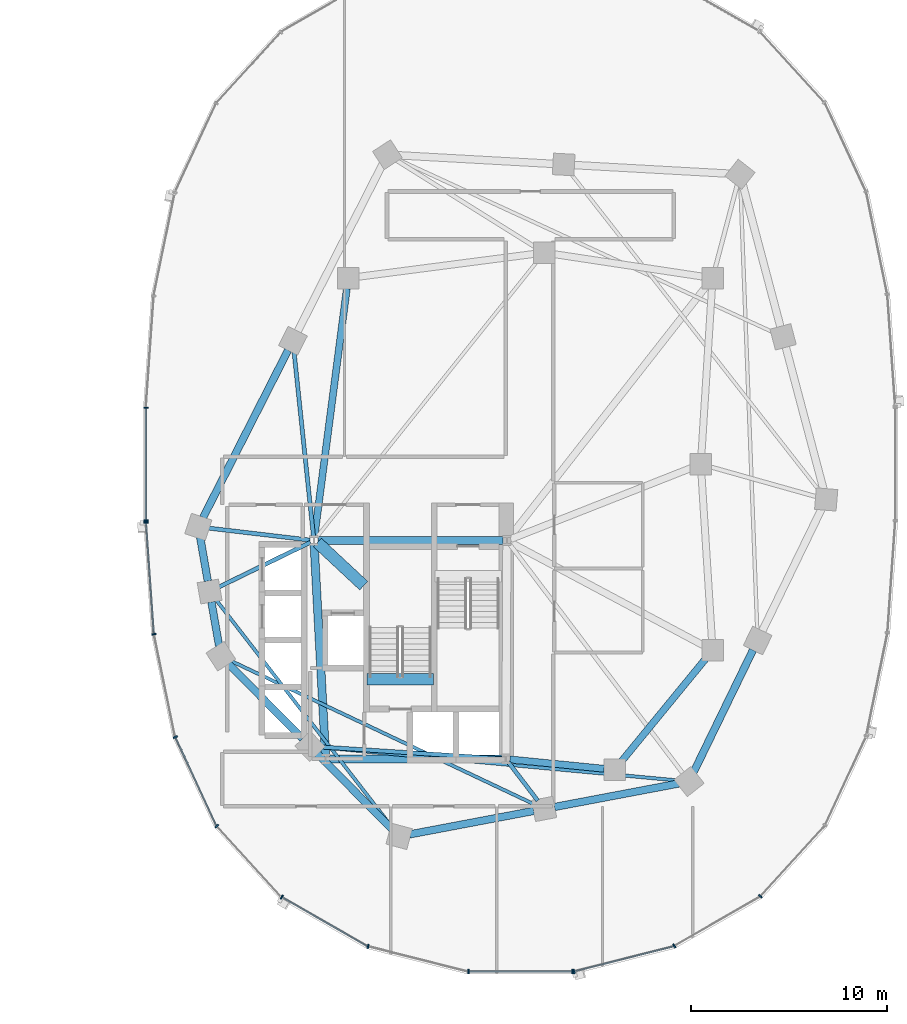
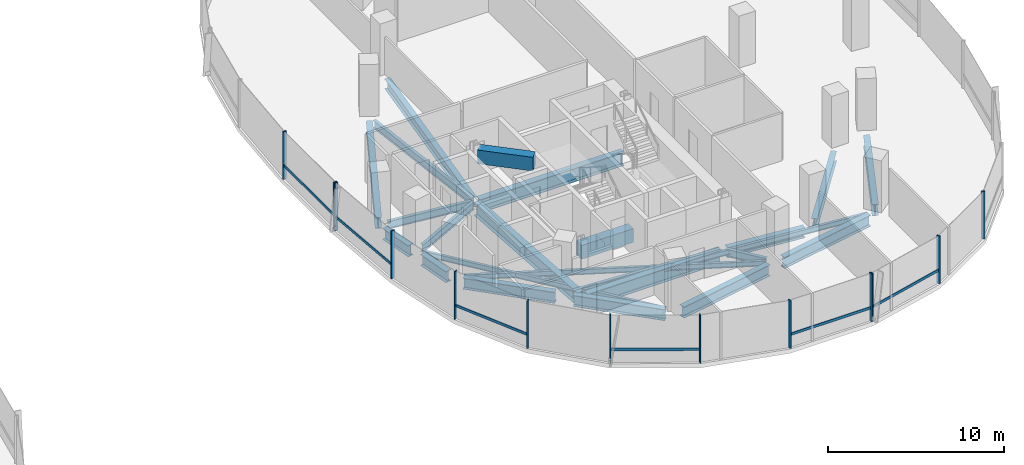
# One storey, part 5 of 20: 24 beams, 19 members, 3 elements without a shape of their own.
"""IFC4 building model written with IfcOpenShell, lengths in metres."""

from ifc_helpers import new_model, si_unit, direction, frame, origin, origin_2d, place, context, subcontext, project, spatial, rectangle, i_section, extrude, material, material_profile, profile_set, type_object, element, aggregate, save


model = new_model("IFC4")

# Units and contexts
model_context = context("Model", 3, precision=1e-05, world=origin(), true_north=direction((0.0, 1.0)))
body_context = subcontext(model_context, "Body", "Model", "MODEL_VIEW")
ifc_project = project(units=[si_unit("LENGTHUNIT", "METRE"), si_unit("AREAUNIT", "SQUARE_METRE"), si_unit("VOLUMEUNIT", "CUBIC_METRE"), si_unit("PLANEANGLEUNIT", "RADIAN"), si_unit("MASSUNIT", "GRAM", prefix="KILO"), si_unit("THERMODYNAMICTEMPERATUREUNIT", "KELVIN"), si_unit("POWERUNIT", "WATT")], contexts=[model_context])

# Site, building, storey
site_placement = place(None, origin())
site = spatial("IfcSite", under=ifc_project, at=site_placement, CompositionType="ELEMENT")
building_placement = place(site_placement, origin())
building = spatial("IfcBuilding", under=site, at=building_placement, Name="Cundina Bronze Exchange", CompositionType="ELEMENT")
storey_placement = place(building_placement, frame((0.0, 0.0, 125.0)))
storey = spatial("IfcBuildingStorey", under=building, at=storey_placement, Name="L32", CompositionType="ELEMENT", Elevation=125.0)

# Beams
ifc_material_1 = material(Name="Concrete C60/75", Category="concrete")
ifc_material_profile_1 = material_profile(ifc_material_1, rectangle(XDim=0.60009765625, YDim=0.949951171875, at=origin_2d()), Name="RC600X950", Category="concrete")
ifc_profile_set_1 = profile_set([ifc_material_profile_1], Name="Concrete C60/75")
beam_type_1 = type_object("IfcBeamType", Name="BM-COUP-RC950", PredefinedType="LINTEL", material=ifc_profile_set_1)
beam_1_placement = place(storey_placement, frame((24.159912109375, -10.97998046875, -0.47509765625), z_axis=(1.0, 0.0, 0.0), x_axis=(0.0, 1.0, 0.0)))
element("IfcBeam", 1, at=beam_1_placement, inside=storey, type_object=beam_type_1, Name="L32 Stair E2 Landing Header Beam", PredefinedType="LINTEL", context=body_context, shape_type="SweptSolid", body=[
    extrude(rectangle(XDim=0.60009765625, YDim=0.949951171875, at=origin_2d()), origin(), (0.0, 0.0, 1.0), 3.400146484375),
])
beam_2_placement = place(storey_placement, frame((21.6298828125, -4.0, 2.824951171875), z_axis=(0.731490439815, -0.681851696822, 0.0), x_axis=(0.681851696822, 0.731490439815, 0.0)))
element("IfcBeam", 2, at=beam_2_placement, inside=storey, type_object=beam_type_1, Name="L32 E Core Shear Coupling Lintel Beam", PredefinedType="LINTEL", context=body_context, shape_type="SweptSolid", body=[
    extrude(rectangle(XDim=0.60009765625, YDim=0.949951171875, at=origin_2d()), origin(), (0.0, 0.0, 1.0), 3.226318359375),
])
ifc_material_2 = material(Name="Steel ASTM A992 Grade 50", Category="steel")
ifc_material_profile_2 = material_profile(ifc_material_2, i_section(OverallWidth=0.2099609375, OverallDepth=0.532958984375, WebThickness=0.01025390625, FlangeThickness=0.015625, FilletRadius=0.013916015625, at=origin_2d()), Name="W21X62", Category="steel")
ifc_profile_set_2 = profile_set([ifc_material_profile_2], Name="Steel ASTM A992 Grade 50")
beam_type_2 = type_object("IfcBeamType", Name="BM-FLR-W21B", PredefinedType="BEAM", material=ifc_profile_set_2)
beam_3_placement = place(storey_placement, frame((21.247314453125, -3.8759765625, -0.56640625), z_axis=(-0.993035701683, 0.117813815752, 0.0), x_axis=(-0.117813815752, -0.993035701683, 0.0)))
element("IfcBeam", 3, at=beam_3_placement, inside=storey, type_object=beam_type_2, Name="L32 Leg E Chordal Floor Beam 00", PredefinedType="BEAM", context=body_context, shape_type="SweptSolid", body=[
    extrude(i_section(OverallWidth=0.2099609375, OverallDepth=0.532958984375, WebThickness=0.01025390625, FlangeThickness=0.015625, FilletRadius=0.013916015625, at=origin_2d()), origin(), (0.0, 0.0, 1.0), 5.19921875),
])
beam_4_placement = place(storey_placement, frame((21.2666015625, -3.989501953125, -0.56640625), z_axis=(-0.898607246385, -0.438753936443, 0.0), x_axis=(0.438753936443, -0.898607246385, 0.0)))
element("IfcBeam", 4, at=beam_4_placement, inside=storey, type_object=beam_type_2, Name="L32 Leg E Chordal Floor Beam 01", PredefinedType="BEAM", context=body_context, shape_type="SweptSolid", body=[
    extrude(i_section(OverallWidth=0.2099609375, OverallDepth=0.532958984375, WebThickness=0.01025390625, FlangeThickness=0.015625, FilletRadius=0.013916015625, at=origin_2d()), origin(), (0.0, 0.0, 1.0), 5.183837890625),
])
beam_5_placement = place(storey_placement, frame((31.04638671875, -15.036865234375, -0.56640625), z_axis=(-0.997892901568, 0.064882640211, 0.0), x_axis=(-0.064882640211, -0.997892901568, 0.0)))
element("IfcBeam", 5, at=beam_5_placement, inside=storey, type_object=beam_type_2, Name="L32 Leg E Chordal Floor Beam 03", PredefinedType="BEAM", context=body_context, shape_type="SweptSolid", body=[
    extrude(i_section(OverallWidth=0.2099609375, OverallDepth=0.532958984375, WebThickness=0.01025390625, FlangeThickness=0.015625, FilletRadius=0.013916015625, at=origin_2d()), origin(), (0.0, 0.0, 1.0), 9.279052734375),
])
beam_6_placement = place(storey_placement, frame((31.373779296875, -15.2119140625, -0.56640625), z_axis=(0.607490490457, -0.79432695032, 0.0), x_axis=(0.79432695032, 0.607490490457, 0.0)))
element("IfcBeam", 6, at=beam_6_placement, inside=storey, type_object=beam_type_2, Name="L32 Leg E Chordal Floor Beam 05", PredefinedType="BEAM", context=body_context, shape_type="SweptSolid", body=[
    extrude(i_section(OverallWidth=0.2099609375, OverallDepth=0.532958984375, WebThickness=0.01025390625, FlangeThickness=0.015625, FilletRadius=0.013916015625, at=origin_2d()), origin(), (0.0, 0.0, 1.0), 2.46826171875),
])
beam_7_placement = place(storey_placement, frame((21.4287109375, -3.697021484375, -0.56640625), z_axis=(-0.104822364957, 0.994490961148, 0.0), x_axis=(-0.994490961148, -0.104822364957, 0.0)))
element("IfcBeam", 7, at=beam_7_placement, inside=storey, type_object=beam_type_2, Name="L32 Leg E Chordal Floor Beam 13", PredefinedType="BEAM", context=body_context, shape_type="SweptSolid", body=[
    extrude(i_section(OverallWidth=0.2099609375, OverallDepth=0.532958984375, WebThickness=0.01025390625, FlangeThickness=0.015625, FilletRadius=0.013916015625, at=origin_2d()), origin(), (0.0, 0.0, 1.0), 9.514404296875),
])
ifc_material_profile_3 = material_profile(ifc_material_2, i_section(OverallWidth=0.172119140625, OverallDepth=0.35791015625, WebThickness=0.0078125, FlangeThickness=0.01318359375, FilletRadius=0.010009765625, at=origin_2d()), Name="W14X38", Category="steel")
ifc_profile_set_3 = profile_set([ifc_material_profile_3], Name="Steel ASTM A992 Grade 50")
beam_type_3 = type_object("IfcBeamType", Name="BM-JST-W14", PredefinedType="JOIST", material=ifc_profile_set_3)
beam_8_placement = place(storey_placement, frame((16.454345703125, -6.92529296875, -0.47900390625), z_axis=(0.612065218806, -0.790807288742, 0.0), x_axis=(0.790807288742, 0.612065218806, 0.0)))
element("IfcBeam", 8, at=beam_8_placement, inside=storey, type_object=beam_type_3, Name="L32 Leg E Lobe Floor Joist 01-04", PredefinedType="JOIST", context=body_context, shape_type="SweptSolid", body=[
    extrude(i_section(OverallWidth=0.172119140625, OverallDepth=0.35791015625, WebThickness=0.0078125, FlangeThickness=0.01318359375, FilletRadius=0.010009765625, at=origin_2d()), origin(), (0.0, 0.0, 1.0), 14.73095703125),
])
beam_9_placement = place(storey_placement, frame((17.186279296875, -10.02978515625, -0.47900390625), z_axis=(0.904069270633, -0.427385954259, 0.0), x_axis=(0.427385954259, 0.904069270633, 0.0)))
element("IfcBeam", 9, at=beam_9_placement, inside=storey, type_object=beam_type_3, Name="L32 Leg E Lobe Floor Joist 02-05", PredefinedType="JOIST", context=body_context, shape_type="SweptSolid", body=[
    extrude(i_section(OverallWidth=0.172119140625, OverallDepth=0.35791015625, WebThickness=0.0078125, FlangeThickness=0.01318359375, FilletRadius=0.010009765625, at=origin_2d()), origin(), (0.0, 0.0, 1.0), 17.175048828125),
])
beam_10_placement = place(storey_placement, frame((21.78564453125, -14.44970703125, -0.47900390625), z_axis=(0.995700674022, -0.092629194921, 0.0), x_axis=(0.092629194921, 0.995700674022, 0.0)))
element("IfcBeam", 10, at=beam_10_placement, inside=storey, type_object=beam_type_3, Name="L32 Leg E Lobe Floor Joist 03-06", PredefinedType="JOIST", context=body_context, shape_type="SweptSolid", body=[
    extrude(i_section(OverallWidth=0.172119140625, OverallDepth=0.35791015625, WebThickness=0.0078125, FlangeThickness=0.01318359375, FilletRadius=0.010009765625, at=origin_2d()), origin(), (0.0, 0.0, 1.0), 18.357421875),
])
ifc_material_profile_4 = material_profile(ifc_material_2, i_section(OverallWidth=0.35498046875, OverallDepth=0.695068359375, WebThickness=0.015380859375, FlangeThickness=0.02490234375, FilletRadius=0.01806640625, at=origin_2d()), Name="W27X146", Category="steel")
ifc_profile_set_4 = profile_set([ifc_material_profile_4], Name="Steel ASTM A992 Grade 50")
beam_type_4 = type_object("IfcBeamType", Name="BM-RING-W27", PredefinedType="USERDEFINED", material=ifc_profile_set_4)
beam_11_placement = place(storey_placement, frame((31.452880859375, -15.070068359375, -0.6474609375), z_axis=(0.995126271817, -0.098608839051, 0.0), x_axis=(0.098608839051, 0.995126271817, 0.0)))
element("IfcBeam", 11, at=beam_11_placement, inside=storey, type_object=beam_type_4, Name="L32 E Inner Structural Ring Girder 01", ObjectType="GIRDER", PredefinedType="USERDEFINED", context=body_context, shape_type="SweptSolid", body=[
    extrude(i_section(OverallWidth=0.35498046875, OverallDepth=0.695068359375, WebThickness=0.015380859375, FlangeThickness=0.02490234375, FilletRadius=0.01806640625, at=origin_2d()), origin(), (0.0, 0.0, 1.0), 4.83544921875),
])
beam_12_placement = place(storey_placement, frame((37.14111328125, -15.183837890625, -0.6474609375), z_axis=(0.633926549035, 0.773393257295, 0.0), x_axis=(-0.773393257295, 0.633926549035, 0.0)))
element("IfcBeam", 12, at=beam_12_placement, inside=storey, type_object=beam_type_4, Name="L32 E Inner Structural Ring Girder 02", ObjectType="GIRDER", PredefinedType="USERDEFINED", context=body_context, shape_type="SweptSolid", body=[
    extrude(i_section(OverallWidth=0.35498046875, OverallDepth=0.695068359375, WebThickness=0.015380859375, FlangeThickness=0.02490234375, FilletRadius=0.01806640625, at=origin_2d()), origin(), (0.0, 0.0, 1.0), 6.811279296875),
])
beam_13_placement = place(storey_placement, frame((23.13037109375, 8.966552734375, -0.6474609375), z_axis=(-0.129507526533, -0.99157843894, 0.0), x_axis=(0.99157843894, -0.129507526533, 0.0)))
element("IfcBeam", 13, at=beam_13_placement, inside=storey, type_object=beam_type_4, Name="L32 E Inner Structural Ring Girder 07", ObjectType="GIRDER", PredefinedType="USERDEFINED", context=body_context, shape_type="SweptSolid", body=[
    extrude(i_section(OverallWidth=0.35498046875, OverallDepth=0.695068359375, WebThickness=0.015380859375, FlangeThickness=0.02490234375, FilletRadius=0.01806640625, at=origin_2d()), origin(), (0.0, 0.0, 1.0), 12.77197265625),
])
ifc_material_profile_5 = material_profile(ifc_material_2, i_section(OverallWidth=0.381103515625, OverallDepth=0.77294921875, WebThickness=0.0166015625, FlangeThickness=0.027099609375, FilletRadius=0.01904296875, at=origin_2d()), Name="W30X173", Category="steel")
ifc_profile_set_5 = profile_set([ifc_material_profile_5], Name="Steel ASTM A992 Grade 50")
beam_type_5 = type_object("IfcBeamType", Name="BM-RING-W30", PredefinedType="USERDEFINED", material=ifc_profile_set_5)
for number, where, z_axis, x_axis, name in (
    (14, (15.642333984375, -3.72998046875, -0.6865234375), (0.171690078326, -0.985151012284, 0.0), (0.985151012284, 0.171690078326, 0.0), "L32 E Perimeter Ring Girder 00"),
    (15, (16.21728515625, -7.030029296875, -0.6865234375), (0.171690078326, -0.985151012284, 0.0), (0.985151012284, 0.171690078326, 0.0), "L32 E Perimeter Ring Girder 01"),
):
    element("IfcBeam", number, at=place(storey_placement, frame(where, z_axis=z_axis, x_axis=x_axis)), inside=storey, type_object=beam_type_5, Name=name, ObjectType="GIRDER", PredefinedType="USERDEFINED", context=body_context, shape_type="SweptSolid", body=[
        extrude(i_section(OverallWidth=0.381103515625, OverallDepth=0.77294921875, WebThickness=0.0166015625, FlangeThickness=0.027099609375, FilletRadius=0.01904296875, at=origin_2d()), origin(), (0.0, 0.0, 1.0), 2.273681640625),
    ])
for number, where, z_axis, x_axis, name in (
    (16, (17.078369140625, -10.1826171875, -0.6865234375), (0.703226342126, -0.7109660412, 0.0), (0.7109660412, 0.703226342126, 0.0), "L32 E Perimeter Ring Girder 02"),
    (17, (21.62841796875, -14.782470703125, -0.6865234375), (0.703226342126, -0.7109660412, 0.0), (0.7109660412, 0.703226342126, 0.0), "L32 E Perimeter Ring Girder 03"),
):
    element("IfcBeam", number, at=place(storey_placement, frame(where, z_axis=z_axis, x_axis=x_axis)), inside=storey, type_object=beam_type_5, Name=name, ObjectType="GIRDER", PredefinedType="USERDEFINED", context=body_context, shape_type="SweptSolid", body=[
        extrude(i_section(OverallWidth=0.381103515625, OverallDepth=0.77294921875, WebThickness=0.0166015625, FlangeThickness=0.027099609375, FilletRadius=0.01904296875, at=origin_2d()), origin(), (0.0, 0.0, 1.0), 5.39404296875),
    ])
for number, where, z_axis, x_axis, name in (
    (18, (26.32861328125, -18.89990234375, -0.6865234375), (0.98257117919, 0.185886733861, 0.0), (-0.185886733861, 0.98257117919, 0.0), "L32 E Perimeter Ring Girder 04"),
    (19, (33.728515625, -17.5, -0.6865234375), (0.98257117919, 0.185886733861, 0.0), (-0.185886733861, 0.98257117919, 0.0), "L32 E Perimeter Ring Girder 05"),
):
    element("IfcBeam", number, at=place(storey_placement, frame(where, z_axis=z_axis, x_axis=x_axis)), inside=storey, type_object=beam_type_5, Name=name, ObjectType="GIRDER", PredefinedType="USERDEFINED", context=body_context, shape_type="SweptSolid", body=[
        extrude(i_section(OverallWidth=0.381103515625, OverallDepth=0.77294921875, WebThickness=0.0166015625, FlangeThickness=0.027099609375, FilletRadius=0.01904296875, at=origin_2d()), origin(), (0.0, 0.0, 1.0), 6.455322265625),
    ])
beam_14_placement = place(storey_placement, frame((40.835205078125, -15.716064453125, -0.6865234375), z_axis=(0.437193894283, 0.899367276924, 0.0), x_axis=(-0.899367276924, 0.437193894283, 0.0)))
element("IfcBeam", 20, at=beam_14_placement, inside=storey, type_object=beam_type_5, Name="L32 E Perimeter Ring Girder 06", ObjectType="GIRDER", PredefinedType="USERDEFINED", context=body_context, shape_type="SweptSolid", body=[
    extrude(i_section(OverallWidth=0.381103515625, OverallDepth=0.77294921875, WebThickness=0.0166015625, FlangeThickness=0.027099609375, FilletRadius=0.01904296875, at=origin_2d()), origin(), (0.0, 0.0, 1.0), 6.929443359375),
])
beam_15_placement = place(storey_placement, frame((20.13134765625, 5.8203125, -0.6865234375), z_axis=(-0.452832332744, -0.891595692241, 0.0), x_axis=(0.891595692241, -0.452832332744, 0.0)))
element("IfcBeam", 21, at=beam_15_placement, inside=storey, type_object=beam_type_5, Name="L32 E Perimeter Ring Girder 13", ObjectType="GIRDER", PredefinedType="USERDEFINED", context=body_context, shape_type="SweptSolid", body=[
    extrude(i_section(OverallWidth=0.381103515625, OverallDepth=0.77294921875, WebThickness=0.0166015625, FlangeThickness=0.027099609375, FilletRadius=0.01904296875, at=origin_2d()), origin(), (0.0, 0.0, 1.0), 9.578857421875),
])
ifc_material_profile_6 = material_profile(ifc_material_2, i_section(OverallWidth=0.41796875, OverallDepth=0.927001953125, WebThickness=0.019287109375, FlangeThickness=0.031982421875, FilletRadius=0.02392578125, at=origin_2d()), Name="W36X231", Category="steel")
ifc_profile_set_6 = profile_set([ifc_material_profile_6], Name="Steel ASTM A992 Grade 50")
beam_type_6 = type_object("IfcBeamType", Name="BM-WRN-W36B", PredefinedType="USERDEFINED", material=ifc_profile_set_6)
beam_16_placement = place(storey_placement, frame((31.095947265625, -3.89990234375, -0.763427734375), z_axis=(-1.0, 0.0, 0.0), x_axis=(0.0, -1.0, 0.0)))
element("IfcBeam", 22, at=beam_16_placement, inside=storey, type_object=beam_type_6, Name="L32 E Core Perimeter Tie Girder 1", ObjectType="GIRDER", PredefinedType="USERDEFINED", context=body_context, shape_type="SweptSolid", body=[
    extrude(i_section(OverallWidth=0.41796875, OverallDepth=0.927001953125, WebThickness=0.019287109375, FlangeThickness=0.031982421875, FilletRadius=0.02392578125, at=origin_2d()), origin(), (0.0, 0.0, 1.0), 9.44189453125),
])
beam_17_placement = place(storey_placement, frame((21.4609375, -4.103759765625, -0.763427734375), z_axis=(0.053739193498, -0.998555005537, 0.0), x_axis=(0.998555005537, 0.053739193498, 0.0)))
element("IfcBeam", 23, at=beam_17_placement, inside=storey, type_object=beam_type_6, Name="L32 E Core Perimeter Tie Girder 2", ObjectType="GIRDER", PredefinedType="USERDEFINED", context=body_context, shape_type="SweptSolid", body=[
    extrude(i_section(OverallWidth=0.41796875, OverallDepth=0.927001953125, WebThickness=0.019287109375, FlangeThickness=0.031982421875, FilletRadius=0.02392578125, at=origin_2d()), origin(), (0.0, 0.0, 1.0), 10.758056640625),
])
beam_18_placement = place(storey_placement, frame((22.25390625, -15.050048828125, -0.763427734375), z_axis=(1.0, 0.0, 0.0), x_axis=(0.0, 1.0, 0.0)))
element("IfcBeam", 24, at=beam_18_placement, inside=storey, type_object=beam_type_6, Name="L32 E Core Perimeter Tie Girder 3", ObjectType="GIRDER", PredefinedType="USERDEFINED", context=body_context, shape_type="SweptSolid", body=[
    extrude(i_section(OverallWidth=0.41796875, OverallDepth=0.927001953125, WebThickness=0.019287109375, FlangeThickness=0.031982421875, FilletRadius=0.02392578125, at=origin_2d()), origin(), (0.0, 0.0, 1.0), 8.7919921875),
])

# Curtain wall, members
ifc_material_3 = material(Name="Anodised Bronze Aluminium 6063-T6", Category="aluminium")
curtain_wall_type = type_object("IfcCurtainWallType", Name="CWS-TRD-MID", PredefinedType="NOTDEFINED", material=ifc_material_3)
curtain_wall_1_placement = place(storey_placement, origin())
curtain_wall_1 = element("IfcCurtainWall", 25, at=curtain_wall_1_placement, inside=storey, type_object=curtain_wall_type, Name="L32 CW-03 Curtain Wall Run CWR-L32-E2", PredefinedType="NOTDEFINED")
ifc_material_profile_7 = material_profile(ifc_material_3, rectangle(XDim=0.074951171875, YDim=0.219970703125, at=origin_2d()), Name="AL75X220", Category="aluminium")
ifc_profile_set_7 = profile_set([ifc_material_profile_7], Name="Anodised Bronze Aluminium 6063-T6")
member_type_1 = type_object("IfcMemberType", Name="CWM-MUL-220", PredefinedType="MULLION", material=ifc_profile_set_7)
member_1_placement = place(storey_placement, frame((12.8720703125, 2.880615234375, 0.0), z_axis=(0.0, 0.0, 1.0), x_axis=(0.0, -1.0, 0.0)))
member_1 = element("IfcMember", 26, at=member_1_placement, type_object=member_type_1, Name="CW-03 Mullion 7", PredefinedType="MULLION", context=body_context, shape_type="SweptSolid", body=[
    extrude(rectangle(XDim=0.074951171875, YDim=0.219970703125, at=origin_2d()), origin(), (0.0, 0.0, 1.0), 3.300048828125),
])
member_2_placement = place(storey_placement, frame((12.8720703125, -2.880615234375, 0.0), z_axis=(0.0, 0.0, 1.0), x_axis=(0.0, -1.0, 0.0)))
member_2 = element("IfcMember", 27, at=member_2_placement, type_object=member_type_1, Name="CW-03 End Mullion", PredefinedType="MULLION", context=body_context, shape_type="SweptSolid", body=[
    extrude(rectangle(XDim=0.074951171875, YDim=0.219970703125, at=origin_2d()), origin(), (0.0, 0.0, 1.0), 3.300048828125),
])

curtain_wall_2_placement = place(storey_placement, origin())
curtain_wall_2 = element("IfcCurtainWall", 28, at=curtain_wall_2_placement, inside=storey, type_object=curtain_wall_type, Name="L32 CW-03 Curtain Wall Run CWR-L32-E3", PredefinedType="NOTDEFINED")
member_3_placement = place(storey_placement, frame((12.87548828125, -2.976318359375, 0.0), z_axis=(0.0, 0.0, 1.0), x_axis=(0.070278787473, -0.997527389113, 0.0)))
member_3 = element("IfcMember", 29, at=member_3_placement, type_object=member_type_1, Name="CW-03 Mullion 1", PredefinedType="MULLION", context=body_context, shape_type="SweptSolid", body=[
    extrude(rectangle(XDim=0.074951171875, YDim=0.219970703125, at=origin_2d()), origin(), (0.0, 0.0, 1.0), 3.300048828125),
])
member_4_placement = place(storey_placement, frame((13.282958984375, -8.67822265625, 0.0), z_axis=(0.0, 0.0, 1.0), x_axis=(0.201419845156, -0.979505000486, 0.0)))
member_4 = element("IfcMember", 30, at=member_4_placement, type_object=member_type_1, Name="CW-03 Mullion 2", PredefinedType="MULLION", context=body_context, shape_type="SweptSolid", body=[
    extrude(rectangle(XDim=0.074951171875, YDim=0.219970703125, at=origin_2d()), origin(), (0.0, 0.0, 1.0), 3.300048828125),
])
member_5_placement = place(storey_placement, frame((14.3720703125, -13.931884765625, 0.0), z_axis=(0.0, 0.0, 1.0), x_axis=(0.42087749791, -0.907117485088, 0.0)))
member_5 = element("IfcMember", 31, at=member_5_placement, type_object=member_type_1, Name="CW-03 Mullion 3", PredefinedType="MULLION", context=body_context, shape_type="SweptSolid", body=[
    extrude(rectangle(XDim=0.074951171875, YDim=0.219970703125, at=origin_2d()), origin(), (0.0, 0.0, 1.0), 3.300048828125),
])
member_6_placement = place(storey_placement, frame((16.491455078125, -18.47705078125, 0.0), z_axis=(0.0, 0.0, 1.0), x_axis=(0.674302387584, -0.738455340626, 0.0)))
member_6 = element("IfcMember", 32, at=member_6_placement, type_object=member_type_1, Name="CW-03 Mullion 4", PredefinedType="MULLION", context=body_context, shape_type="SweptSolid", body=[
    extrude(rectangle(XDim=0.074951171875, YDim=0.219970703125, at=origin_2d()), origin(), (0.0, 0.0, 1.0), 3.300048828125),
])
member_7_placement = place(storey_placement, frame((19.810302734375, -22.097412109375, 0.0), z_axis=(0.0, 0.0, 1.0), x_axis=(0.867070701164, -0.498185105339, 0.0)))
member_7 = element("IfcMember", 33, at=member_7_placement, type_object=member_type_1, Name="CW-03 Mullion 5", PredefinedType="MULLION", context=body_context, shape_type="SweptSolid", body=[
    extrude(rectangle(XDim=0.074951171875, YDim=0.219970703125, at=origin_2d()), origin(), (0.0, 0.0, 1.0), 3.300048828125),
])
member_8_placement = place(storey_placement, frame((24.21484375, -24.61669921875, 0.0), z_axis=(0.0, 0.0, 1.0), x_axis=(0.969488149345, -0.245138182011, 0.0)))
member_8 = element("IfcMember", 34, at=member_8_placement, type_object=member_type_1, Name="CW-03 Mullion 6", PredefinedType="MULLION", context=body_context, shape_type="SweptSolid", body=[
    extrude(rectangle(XDim=0.074951171875, YDim=0.219970703125, at=origin_2d()), origin(), (0.0, 0.0, 1.0), 3.300048828125),
])
member_9_placement = place(storey_placement, frame((29.345458984375, -25.905029296875, 0.0), z_axis=(0.0, 0.0, 1.0), x_axis=(1.0, 0.0, 0.0)))
member_9 = element("IfcMember", 35, at=member_9_placement, type_object=member_type_1, Name="CW-03 Mullion 7", PredefinedType="MULLION", context=body_context, shape_type="SweptSolid", body=[
    extrude(rectangle(XDim=0.074951171875, YDim=0.219970703125, at=origin_2d()), origin(), (0.0, 0.0, 1.0), 3.300048828125),
])
member_10_placement = place(storey_placement, frame((34.654541015625, -25.905029296875, 0.0), z_axis=(0.0, 0.0, 1.0), x_axis=(1.0, 0.0, 0.0)))
member_10 = element("IfcMember", 36, at=member_10_placement, type_object=member_type_1, Name="CW-03 End Mullion", PredefinedType="MULLION", context=body_context, shape_type="SweptSolid", body=[
    extrude(rectangle(XDim=0.074951171875, YDim=0.219970703125, at=origin_2d()), origin(), (0.0, 0.0, 1.0), 3.300048828125),
])

curtain_wall_3_placement = place(storey_placement, origin())
curtain_wall_3 = element("IfcCurtainWall", 37, at=curtain_wall_3_placement, inside=storey, type_object=curtain_wall_type, Name="L32 CW-03 Curtain Wall Run CWR-L32-E4", PredefinedType="NOTDEFINED")
member_11_placement = place(storey_placement, frame((34.72607421875, -25.89599609375, 0.0), z_axis=(0.0, 0.0, 1.0), x_axis=(0.969488149345, 0.245138182011, 0.0)))
member_11 = element("IfcMember", 38, at=member_11_placement, type_object=member_type_1, Name="CW-03 Mullion 1", PredefinedType="MULLION", context=body_context, shape_type="SweptSolid", body=[
    extrude(rectangle(XDim=0.074951171875, YDim=0.219970703125, at=origin_2d()), origin(), (0.0, 0.0, 1.0), 3.300048828125),
])
member_12_placement = place(storey_placement, frame((39.848876953125, -24.591064453125, 0.0), z_axis=(0.0, 0.0, 1.0), x_axis=(0.867070701164, 0.498185105339, 0.0)))
member_12 = element("IfcMember", 39, at=member_12_placement, type_object=member_type_1, Name="CW-03 Mullion 2", PredefinedType="MULLION", context=body_context, shape_type="SweptSolid", body=[
    extrude(rectangle(XDim=0.074951171875, YDim=0.219970703125, at=origin_2d()), origin(), (0.0, 0.0, 1.0), 3.300048828125),
])
member_13_placement = place(storey_placement, frame((44.239501953125, -22.0576171875, 0.0), z_axis=(0.0, 0.0, 1.0), x_axis=(0.674302387584, 0.738455340626, 0.0)))
member_13 = element("IfcMember", 40, at=member_13_placement, type_object=member_type_1, Name="CW-03 Mullion 3", PredefinedType="MULLION", context=body_context, shape_type="SweptSolid", body=[
    extrude(rectangle(XDim=0.074951171875, YDim=0.219970703125, at=origin_2d()), origin(), (0.0, 0.0, 1.0), 3.300048828125),
])

# Member
ifc_material_profile_8 = material_profile(ifc_material_3, rectangle(XDim=0.070068359375, YDim=0.179931640625, at=origin_2d()), Name="AL70X180", Category="aluminium")
ifc_profile_set_8 = profile_set([ifc_material_profile_8], Name="Anodised Bronze Aluminium 6063-T6")
member_type_2 = type_object("IfcMemberType", Name="CWM-TRN-180", PredefinedType="USERDEFINED", material=ifc_profile_set_8)
member_14_placement = place(storey_placement, frame((12.8720703125, 2.839111328125, 0.919921875), z_axis=(0.0, -1.0, 0.0), x_axis=(1.0, 0.0, 0.0)))
member_14 = element("IfcMember", 41, at=member_14_placement, type_object=member_type_2, Name="CW-03 Spandrel Transom 7", ObjectType="TRANSOM", PredefinedType="USERDEFINED", context=body_context, shape_type="SweptSolid", body=[
    extrude(rectangle(XDim=0.070068359375, YDim=0.179931640625, at=origin_2d()), origin(), (0.0, 0.0, 1.0), 5.67822265625),
])

aggregate(curtain_wall_1, [member_1, member_2, member_14])

member_15_placement = place(storey_placement, frame((12.87841796875, -3.017333984375, 0.919921875), z_axis=(0.070260714471, -0.997528662246, 0.0), x_axis=(0.997528662246, 0.070260714471, 0.0)))
member_15 = element("IfcMember", 42, at=member_15_placement, type_object=member_type_2, Name="CW-03 Spandrel Transom 1", ObjectType="TRANSOM", PredefinedType="USERDEFINED", context=body_context, shape_type="SweptSolid", body=[
    extrude(rectangle(XDim=0.070068359375, YDim=0.179931640625, at=origin_2d()), origin(), (0.0, 0.0, 1.0), 5.629150390625),
])

member_16_placement = place(storey_placement, frame((14.389404296875, -13.96923828125, 0.919921875), z_axis=(0.420811422796, -0.907148139195, 0.0), x_axis=(0.907148139195, 0.420811422796, 0.0)))
member_16 = element("IfcMember", 43, at=member_16_placement, type_object=member_type_2, Name="CW-03 Spandrel Transom 3", ObjectType="TRANSOM", PredefinedType="USERDEFINED", context=body_context, shape_type="SweptSolid", body=[
    extrude(rectangle(XDim=0.070068359375, YDim=0.179931640625, at=origin_2d()), origin(), (0.0, 0.0, 1.0), 4.95166015625),
])

member_17_placement = place(storey_placement, frame((19.845947265625, -22.117919921875, 0.919921875), z_axis=(0.867097475651, -0.498138502546, 0.0), x_axis=(0.498138502546, 0.867097475651, 0.0)))
member_17 = element("IfcMember", 44, at=member_17_placement, type_object=member_type_2, Name="CW-03 Spandrel Transom 5", ObjectType="TRANSOM", PredefinedType="USERDEFINED", context=body_context, shape_type="SweptSolid", body=[
    extrude(rectangle(XDim=0.070068359375, YDim=0.179931640625, at=origin_2d()), origin(), (0.0, 0.0, 1.0), 5.00634765625),
])

member_18_placement = place(storey_placement, frame((29.38671875, -25.905029296875, 0.919921875), z_axis=(1.0, 0.0, 0.0), x_axis=(0.0, 1.0, 0.0)))
member_18 = element("IfcMember", 45, at=member_18_placement, type_object=member_type_2, Name="CW-03 Spandrel Transom 7", ObjectType="TRANSOM", PredefinedType="USERDEFINED", context=body_context, shape_type="SweptSolid", body=[
    extrude(rectangle(XDim=0.070068359375, YDim=0.179931640625, at=origin_2d()), origin(), (0.0, 0.0, 1.0), 5.2265625),
])

aggregate(curtain_wall_2, [member_3, member_15, member_4, member_5, member_16, member_6, member_7, member_17, member_8, member_9, member_10, member_18])

member_19_placement = place(storey_placement, frame((34.76611328125, -25.885986328125, 0.919921875), z_axis=(0.969483968866, 0.245154714644, 0.0), x_axis=(-0.245154714644, 0.969483968866, 0.0)))
member_19 = element("IfcMember", 46, at=member_19_placement, type_object=member_type_2, Name="CW-03 Spandrel Transom 1", ObjectType="TRANSOM", PredefinedType="USERDEFINED", context=body_context, shape_type="SweptSolid", body=[
    extrude(rectangle(XDim=0.070068359375, YDim=0.179931640625, at=origin_2d()), origin(), (0.0, 0.0, 1.0), 5.21826171875),
])

aggregate(curtain_wall_3, [member_11, member_19, member_12, member_13])

save(model, "model.ifc")
